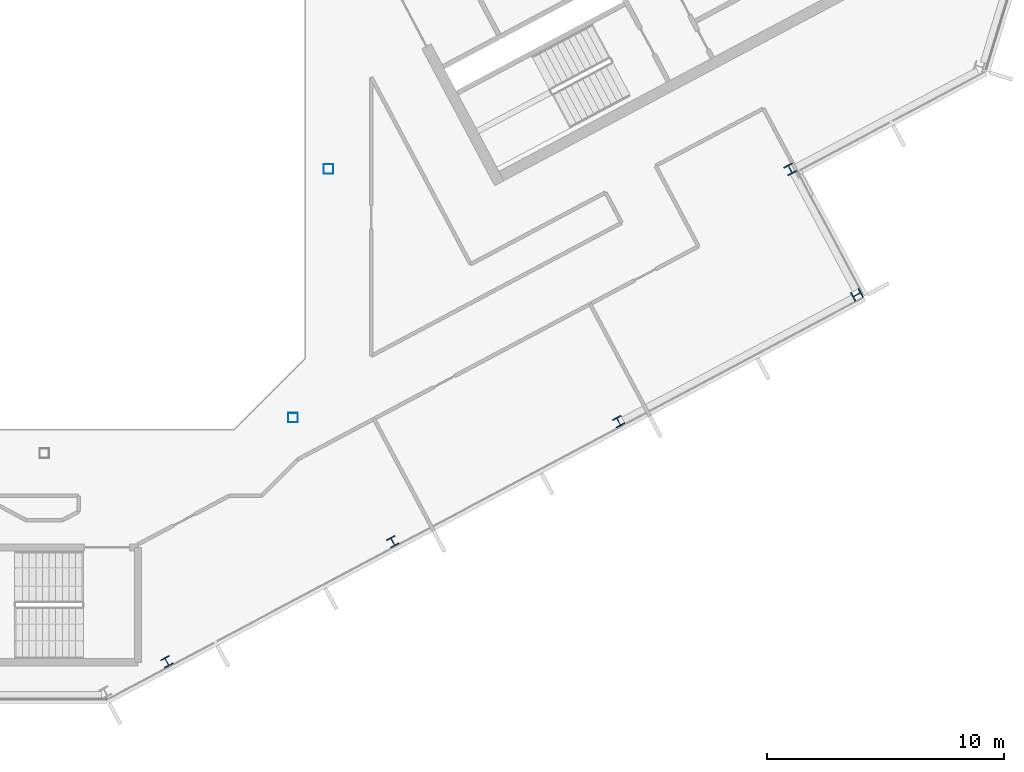
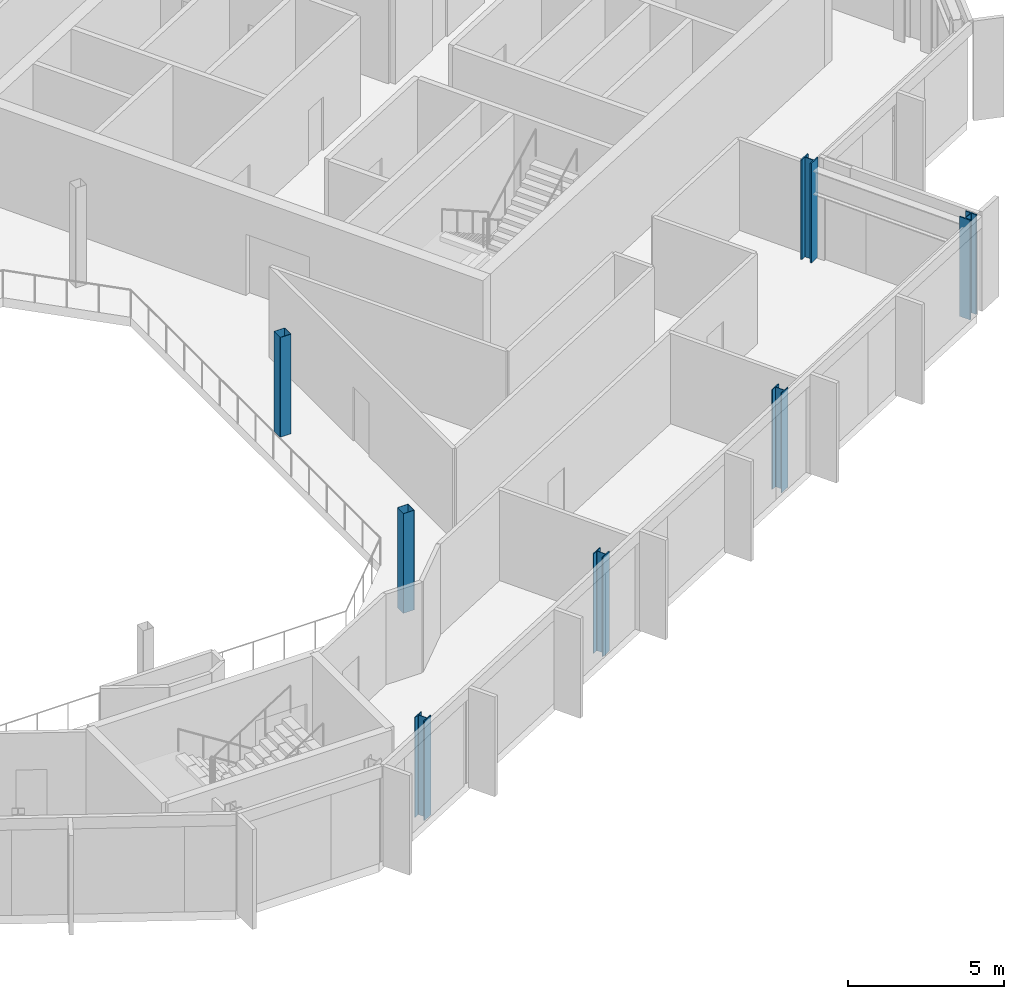
# One storey, part 5 of 26: 7 columns.
"""IFC4 building model written with IfcOpenShell, lengths in metres."""

from ifc_helpers import new_model, si_unit, direction, frame, origin, origin_2d, place, context, subcontext, project, spatial, hollow_rectangle, i_section, extrude, material, material_profile, profile_set, type_object, element, save


model = new_model("IFC4")

# Units and contexts
model_context = context("Model", 3, precision=1e-05, world=origin(), true_north=direction((0.0, 1.0)))
body_context = subcontext(model_context, "Body", "Model", "MODEL_VIEW")
ifc_project = project(units=[si_unit("LENGTHUNIT", "METRE"), si_unit("AREAUNIT", "SQUARE_METRE"), si_unit("VOLUMEUNIT", "CUBIC_METRE"), si_unit("PLANEANGLEUNIT", "RADIAN"), si_unit("MASSUNIT", "GRAM", prefix="KILO")], contexts=[model_context])

# Site, building, storey
site_placement = place(None, origin())
site = spatial("IfcSite", under=ifc_project, at=site_placement, CompositionType="ELEMENT")
building_placement = place(site_placement, origin())
building = spatial("IfcBuilding", under=site, at=building_placement, Name="Cormorant Relay Tower", CompositionType="ELEMENT")
storey_placement = place(building_placement, frame((0.0, 0.0, 308.699951171875)))
storey = spatial("IfcBuildingStorey", under=building, at=storey_placement, Name="L70", CompositionType="ELEMENT", Elevation=308.699951171875)

# Columns
ifc_material_1 = material(Name="Steel ASTM A500 Grade C (Fy 345 MPa)", Category="steel")
ifc_material_profile_1 = material_profile(ifc_material_1, hollow_rectangle(XDim=0.406494140625, YDim=0.406494140625, WallThickness=0.0087890625, InnerFilletRadius=0.00439453125, OuterFilletRadius=0.01318359375, at=origin_2d()), Name="HSS406x406x9")
ifc_profile_set_1 = profile_set([ifc_material_profile_1], Name="Steel ASTM A500 Grade C (Fy 345 MPa)")
column_type_1 = type_object("IfcColumnType", Name="Column HSS406x406x9", PredefinedType="COLUMN", material=ifc_profile_set_1)
for number, where, z_axis, x_axis, name in (
    (1, (10.5, -10.5, 0.0), (0.0, 0.0, 1.0), (1.0, 0.0, 0.0), "Column L70-010"),
    (2, (12.0, 0.0, 0.0), (0.0, 0.0, 1.0), (1.0, 0.0, 0.0), "Column L70-016"),
):
    element("IfcColumn", number, at=place(storey_placement, frame(where, z_axis=z_axis, x_axis=x_axis)), inside=storey, type_object=column_type_1, Name=name, PredefinedType="COLUMN", context=body_context, shape_type="SweptSolid", body=[
        extrude(hollow_rectangle(XDim=0.406494140625, YDim=0.406494140625, WallThickness=0.0087890625, InnerFilletRadius=0.00439453125, OuterFilletRadius=0.01318359375, at=origin_2d()), origin(), (0.0, 0.0, 1.0), 3.900146484375),
    ])
ifc_material_2 = material(Name="Steel ASTM A992 (Fy 345 MPa)", Category="steel")
ifc_material_profile_2 = material_profile(ifc_material_2, i_section(OverallWidth=0.398681640625, OverallDepth=0.385986328125, WebThickness=0.02099609375, FlangeThickness=0.033203125, FilletRadius=0.01513671875, at=origin_2d()), Name="W360x262")
ifc_profile_set_2 = profile_set([ifc_material_profile_2], Name="Steel ASTM A992 (Fy 345 MPa)")
column_type_2 = type_object("IfcColumnType", Name="Column W360x262", PredefinedType="COLUMN", material=ifc_profile_set_2)
for number, where, z_axis, x_axis, name in (
    (3, (5.174072265625, -20.806884765625, 0.0), (0.0, 0.0, 1.0), (0.882947592859, 0.469471562786, 0.0), "Column L70-003"),
    (4, (14.7099609375, -15.736083984375, 0.0), (0.0, 0.0, 1.0), (0.882947592859, 0.469471562786, 0.0), "Column L70-005"),
    (5, (24.2451171875, -10.666015625, 0.0), (0.0, 0.0, 1.0), (0.882947592859, 0.469471562786, 0.0), "Column L70-008"),
):
    element("IfcColumn", number, at=place(storey_placement, frame(where, z_axis=z_axis, x_axis=x_axis)), inside=storey, type_object=column_type_2, Name=name, PredefinedType="COLUMN", context=body_context, shape_type="SweptSolid", body=[
        extrude(i_section(OverallWidth=0.398681640625, OverallDepth=0.385986328125, WebThickness=0.02099609375, FlangeThickness=0.033203125, FilletRadius=0.01513671875, at=origin_2d()), origin(), (0.0, 0.0, 1.0), 3.900146484375),
    ])
ifc_material_3 = material(Name="Steel ASTM A992 (Fy 345 MPa)", Category="steel")
ifc_material_profile_3 = material_profile(ifc_material_3, i_section(OverallWidth=0.40380859375, OverallDepth=0.406494140625, WebThickness=0.027099609375, FlangeThickness=0.043701171875, FilletRadius=0.01513671875, at=origin_2d()), Name="W360x347")
ifc_profile_set_3 = profile_set([ifc_material_profile_3], Name="Steel ASTM A992 (Fy 345 MPa)")
column_type_3 = type_object("IfcColumnType", Name="Column W360x347", PredefinedType="COLUMN", material=ifc_profile_set_3)
for number, where, z_axis, x_axis, name in (
    (6, (34.303955078125, -5.31201171875, 0.0), (0.0, 0.0, 1.0), (-0.469471562786, 0.882947592859, 0.0), "Column L70-012"),
    (7, (31.487060546875, -0.013916015625, 0.0), (0.0, 0.0, 1.0), (0.882947592859, 0.469471562786, 0.0), "Column L70-014"),
):
    element("IfcColumn", number, at=place(storey_placement, frame(where, z_axis=z_axis, x_axis=x_axis)), inside=storey, type_object=column_type_3, Name=name, PredefinedType="COLUMN", context=body_context, shape_type="SweptSolid", body=[
        extrude(i_section(OverallWidth=0.40380859375, OverallDepth=0.406494140625, WebThickness=0.027099609375, FlangeThickness=0.043701171875, FilletRadius=0.01513671875, at=origin_2d()), origin(), (0.0, 0.0, 1.0), 3.900146484375),
    ])

save(model, "model.ifc")
